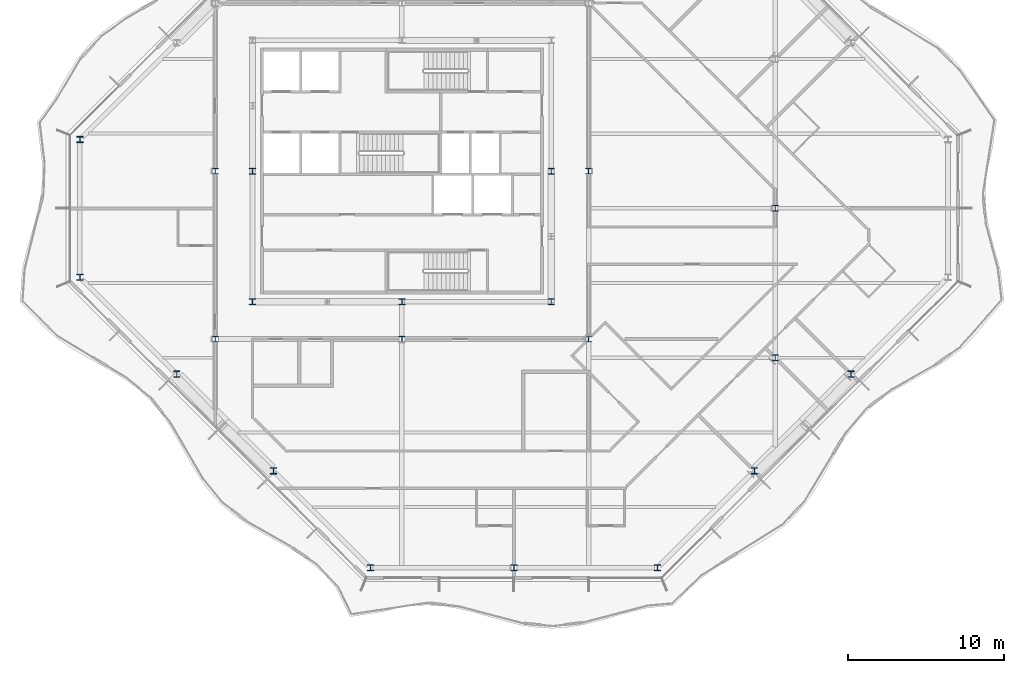
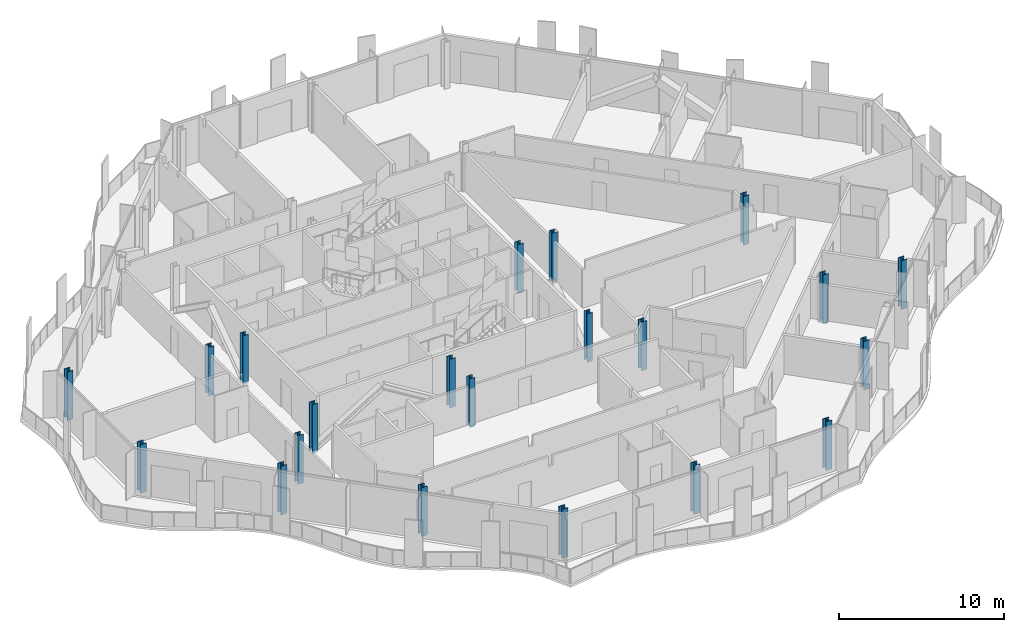
# One storey, part 1 of 17: 21 columns.
"""IFC4 building model written with IfcOpenShell, lengths in metres."""

import ifcopenshell
import ifcopenshell.guid

model = None  # the IFC model being written
_history = None  # IfcOwnerHistory: only IFC2X3 demands one
_inside = {}  # id of a spatial element -> (the spatial element, [elements in it])
_under = {}  # id of a project, library or spatial element -> (it, [spatial elements below it])
_declared = {}  # id of a project -> (the project, [libraries it declares])
_typed = {}  # id of a type object -> (the type object, [elements of that type])
_made_of = {}  # id of a material, layer set ... -> (it, [elements and type objects made of it])


def new_model(schema):
    """Start an empty IFC model of exactly this schema.

    Asked for "IFC4X3", IfcOpenShell would pick the latest addendum, in which some entities
    have other attributes; the version numbers below select the first issue.
    IFC2X3 requires an IfcOwnerHistory on every rooted entity: one is made here for all.
    """
    global model, _history
    if schema == "IFC4X3":
        model = ifcopenshell.file(schema_version=(4, 3, 0, 0))
    else:
        model = ifcopenshell.file(schema=schema)
    _inside.clear()
    _under.clear()
    _declared.clear()
    _typed.clear()
    _made_of.clear()
    _history = None
    if model.schema == "IFC2X3":
        org = make("IfcOrganization", Name="unknown")
        user = make(
            "IfcPersonAndOrganization",
            ThePerson=make("IfcPerson", FamilyName="unknown"),
            TheOrganization=org,
        )
        app = make(
            "IfcApplication",
            ApplicationDeveloper=org,
            Version="unknown",
            ApplicationFullName="unknown",
            ApplicationIdentifier="unknown",
        )
        _history = make(
            "IfcOwnerHistory",
            OwningUser=user,
            OwningApplication=app,
            ChangeAction="ADDED",
            CreationDate=0,
        )
    return model


def make(cls, **values):
    """One entity of the class cls with the attributes given. An attribute that is None is left unset."""
    return model.create_entity(
        cls, **{name: value for name, value in values.items() if value is not None}
    )


def rooted(cls, **values):
    """An entity with a GlobalId (a new one), such as an element, a storey or a relation."""
    return make(cls, GlobalId=ifcopenshell.guid.new(), OwnerHistory=_history, **values)


def si_unit(unit_type, name, prefix=None):
    """IfcSIUnit, for example si_unit("LENGTHUNIT", "METRE", prefix="MILLI")."""
    return make("IfcSIUnit", UnitType=unit_type, Prefix=prefix, Name=name)


def assignment(units):
    """IfcUnitAssignment: the units of a project."""
    return None if units is None else make("IfcUnitAssignment", Units=units)


def point(xyz):
    """IfcCartesianPoint."""
    return None if xyz is None else make("IfcCartesianPoint", Coordinates=xyz)


def direction(xyz):
    """IfcDirection."""
    return None if xyz is None else make("IfcDirection", DirectionRatios=xyz)


def frame(location, z_axis=None, x_axis=None):
    """IfcAxis2Placement3D, a coordinate frame: its origin and axes. An axis left out is left unset."""
    return make(
        "IfcAxis2Placement3D",
        Location=point(location),
        Axis=direction(z_axis),
        RefDirection=direction(x_axis),
    )


def frame_2d(location, x_axis=None):
    """IfcAxis2Placement2D, a coordinate frame in the plane: its origin and x axis."""
    return make(
        "IfcAxis2Placement2D", Location=point(location), RefDirection=direction(x_axis)
    )


def origin():
    """The frame at (0, 0, 0) with its axes left unset."""
    return frame((0.0, 0.0, 0.0))


def origin_2d():
    """The frame at (0, 0) in the plane with its x axis left unset."""
    return frame_2d((0.0, 0.0))


def place(relative_to, where):
    """IfcLocalPlacement: puts the frame where relative to a parent placement (None: the world)."""
    return make(
        "IfcLocalPlacement", PlacementRelTo=relative_to, RelativePlacement=where
    )


def context(
    kind, dimensions, precision=None, world=None, true_north=None, identifier=None
):
    """IfcGeometricRepresentationContext, for example the 3D "Model" context."""
    return make(
        "IfcGeometricRepresentationContext",
        ContextIdentifier=identifier,
        ContextType=kind,
        CoordinateSpaceDimension=dimensions,
        Precision=precision,
        WorldCoordinateSystem=world,
        TrueNorth=true_north,
    )


def subcontext(parent, identifier, kind, view, scale=None):
    """IfcGeometricRepresentationSubContext, for example "Body" below "Model"."""
    return make(
        "IfcGeometricRepresentationSubContext",
        ContextIdentifier=identifier,
        ContextType=kind,
        ParentContext=parent,
        TargetScale=scale,
        TargetView=view,
    )


def project(units=None, contexts=None):
    """IfcProject with its units and contexts."""
    return rooted(
        "IfcProject",
        Name="project",
        RepresentationContexts=contexts,
        UnitsInContext=assignment(units),
    )


def spatial(cls, under=None, at=None, **own):
    """A site, building, storey or space (cls), placed at a placement, below another one or the project."""
    s = rooted(cls, ObjectPlacement=at, **own)
    if under is not None:
        _under.setdefault(under.id(), (under, []))[1].append(s)
    return s


def profile(cls, at=None, kind="AREA", **sizes):
    """A parametric profile (cls). Its sizes go by their IFC names, for example OverallWidth=200.0."""
    return make(cls, ProfileType=kind, Position=at, **sizes)


def i_section(**sizes):
    """IfcIShapeProfileDef."""
    return profile("IfcIShapeProfileDef", **sizes)


def extrude(swept, where, along, depth):
    """IfcExtrudedAreaSolid: the profile swept, set in the frame where, extruded along a direction by depth."""
    return make(
        "IfcExtrudedAreaSolid",
        SweptArea=swept,
        Position=where,
        ExtrudedDirection=direction(along),
        Depth=depth,
    )


def shape(context_of_items, identifier, shape_type, items):
    """IfcShapeRepresentation: the items that make up one representation, for example the "Body"."""
    return make(
        "IfcShapeRepresentation",
        ContextOfItems=context_of_items,
        RepresentationIdentifier=identifier,
        RepresentationType=shape_type,
        Items=items,
    )


def material(Name=None, Category=None):
    """IfcMaterial."""
    return make("IfcMaterial", Name=Name, Category=Category)


def material_profile(
    of_material, cross_section, Name=None, Category=None, Priority=None
):
    """IfcMaterialProfile: a cross section and its material."""
    return make(
        "IfcMaterialProfile",
        Name=Name,
        Material=of_material,
        Profile=cross_section,
        Priority=Priority,
        Category=Category,
    )


def profile_set(profiles, Name=None, composite=None):
    """IfcMaterialProfileSet."""
    return make(
        "IfcMaterialProfileSet",
        Name=Name,
        MaterialProfiles=profiles,
        CompositeProfile=composite,
    )


def made_of(thing, what):
    """Note that an element or type object is made of a material, layer set ...; save() writes the relation."""
    if what is not None:
        _made_of.setdefault(what.id(), (what, []))[1].append(thing)
    return thing


def type_object(cls, material=None, **own):
    """A type object (cls), such as IfcWallType, which elements share."""
    return made_of(rooted(cls, **own), material)


def element(
    cls,
    number,
    at=None,
    inside=None,
    cuts=None,
    type_object=None,
    material=None,
    context=None,
    identifier="Body",
    shape_type=None,
    held_by="IfcProductDefinitionShape",
    body=None,
    shapes=None,
    **own,
):
    """One element of the class cls, such as IfcWall. Its Tag is "e" and its number.

    at: its placement. inside: the storey or other place that contains it. cuts: it is an
    opening in that element (IfcRelVoidsElement). A single representation is given by context,
    identifier, shape_type and body (its items); several are given by shapes. held_by: the class
    of the entity that holds the representations. save() writes the other relations.
    """
    e = rooted(cls, Tag="e%d" % number, ObjectPlacement=at, **own)
    if body is not None:
        shapes = [shape(context, identifier, shape_type, body)]
    if shapes is not None:
        e.Representation = make(held_by, Representations=shapes)
    if inside is not None:
        _inside.setdefault(inside.id(), (inside, []))[1].append(e)
    if cuts is not None:
        rooted(
            "IfcRelVoidsElement", RelatingBuildingElement=cuts, RelatedOpeningElement=e
        )
    if type_object is not None:
        _typed.setdefault(type_object.id(), (type_object, []))[1].append(e)
    return made_of(e, material)


def aggregate(whole, parts):
    """IfcRelAggregates: a whole, such as a stair, and the parts it consists of."""
    return rooted("IfcRelAggregates", RelatingObject=whole, RelatedObjects=parts)


def save(model, path):
    """Write the relations noted so far, then the file.

    IfcRelAggregates (storeys below a building ...), IfcRelContainedInSpatialStructure (elements
    in a storey), IfcRelDefinesByType, IfcRelAssociatesMaterial and IfcRelDeclares: one each for
    every whole, place, type object, material and project.
    """
    for whole, parts in _under.values():
        aggregate(whole, parts)
    for where, things in _inside.values():
        rooted(
            "IfcRelContainedInSpatialStructure",
            RelatedElements=things,
            RelatingStructure=where,
        )
    for kind, things in _typed.values():
        rooted("IfcRelDefinesByType", RelatedObjects=things, RelatingType=kind)
    for what, things in _made_of.values():
        rooted("IfcRelAssociatesMaterial", RelatedObjects=things, RelatingMaterial=what)
    for by, libraries in _declared.values():
        rooted("IfcRelDeclares", RelatingContext=by, RelatedDefinitions=libraries)
    model.write(path)


model = new_model("IFC4")

# Units and contexts
model_context = context("Model", 3, precision=1e-05, world=origin(), true_north=direction((0.0, 1.0)))
body_context = subcontext(model_context, "Body", "Model", "MODEL_VIEW")
ifc_project = project(units=[si_unit("LENGTHUNIT", "METRE"), si_unit("AREAUNIT", "SQUARE_METRE"), si_unit("VOLUMEUNIT", "CUBIC_METRE"), si_unit("PLANEANGLEUNIT", "RADIAN"), si_unit("MASSUNIT", "GRAM", prefix="KILO")], contexts=[model_context])

# Site, building, storey
site_placement = place(None, origin())
site = spatial("IfcSite", under=ifc_project, at=site_placement, CompositionType="ELEMENT")
building_placement = place(site_placement, origin())
building = spatial("IfcBuilding", under=site, at=building_placement, Name="Cairn Pilgrim Tower", CompositionType="ELEMENT")
storey_placement = place(building_placement, frame((0.0, 0.0, 235.800048828125)))
storey = spatial("IfcBuildingStorey", under=building, at=storey_placement, Name="L60", CompositionType="ELEMENT", Elevation=235.800048828125)

# Columns
ifc_material_1 = material(Name="Structural steel S355J2", Category="steel")
ifc_material_profile_1 = material_profile(ifc_material_1, i_section(OverallWidth=0.39404296875, OverallDepth=0.375, WebThickness=0.017333984375, FlangeThickness=0.027587890625, FilletRadius=0.014892578125, at=origin_2d()), Name="HD 400x216")
ifc_profile_set_1 = profile_set([ifc_material_profile_1], Name="Structural steel S355J2")
column_type_1 = type_object("IfcColumnType", Name="HD 400x216", PredefinedType="COLUMN", material=ifc_profile_set_1)
for number, where, z_axis, x_axis, name in (
    (1, (-4.800048828125, -8.39990234375, -0.150146484375), (0.0, 0.0, 1.0), (1.0, 0.0, 0.0), "IC-1"),
    (2, (7.199951171875, -8.39990234375, -0.150146484375), (0.0, 0.0, 1.0), (1.0, 0.0, 0.0), "IC-2"),
    (3, (19.199951171875, -8.39990234375, -0.150146484375), (0.0, 0.0, 1.0), (1.0, 0.0, 0.0), "IC-3"),
    (4, (-4.800048828125, 2.39990234375, -0.150146484375), (0.0, 0.0, 1.0), (1.0, 0.0, 0.0), "IC-4"),
    (5, (19.199951171875, 2.39990234375, -0.150146484375), (0.0, 0.0, 1.0), (1.0, 0.0, 0.0), "IC-5"),
):
    element("IfcColumn", number, at=place(storey_placement, frame(where, z_axis=z_axis, x_axis=x_axis)), inside=storey, type_object=column_type_1, Name=name, PredefinedType="COLUMN", context=body_context, shape_type="SweptSolid", body=[
        extrude(i_section(OverallWidth=0.39404296875, OverallDepth=0.375, WebThickness=0.017333984375, FlangeThickness=0.027587890625, FilletRadius=0.014892578125, at=origin_2d()), origin(), (0.0, 0.0, 1.0), 3.60009765625),
    ])
ifc_material_profile_2 = material_profile(ifc_material_1, i_section(OverallWidth=0.39794921875, OverallDepth=0.386962890625, WebThickness=0.02099609375, FlangeThickness=0.033203125, FilletRadius=0.014892578125, at=origin_2d()), Name="HD 400x262")
ifc_profile_set_2 = profile_set([ifc_material_profile_2], Name="Structural steel S355J2")
column_type_2 = type_object("IfcColumnType", Name="HD 400x262", PredefinedType="COLUMN", material=ifc_profile_set_2)
for number, where, z_axis, x_axis, name in (
    (6, (-2.39990234375, -6.0, -0.150146484375), (0.0, 0.0, 1.0), (1.0, 0.0, 0.0), "KC-1"),
    (7, (7.199951171875, -6.0, -0.150146484375), (0.0, 0.0, 1.0), (1.0, 0.0, 0.0), "KC-2"),
    (8, (16.800048828125, -6.0, -0.150146484375), (0.0, 0.0, 1.0), (1.0, 0.0, 0.0), "KC-3"),
    (9, (-2.39990234375, 2.39990234375, -0.150146484375), (0.0, 0.0, 1.0), (1.0, 0.0, 0.0), "KC-4"),
    (10, (16.800048828125, 2.39990234375, -0.150146484375), (0.0, 0.0, 1.0), (1.0, 0.0, 0.0), "KC-5"),
):
    element("IfcColumn", number, at=place(storey_placement, frame(where, z_axis=z_axis, x_axis=x_axis)), inside=storey, type_object=column_type_2, Name=name, PredefinedType="COLUMN", context=body_context, shape_type="SweptSolid", body=[
        extrude(i_section(OverallWidth=0.39794921875, OverallDepth=0.386962890625, WebThickness=0.02099609375, FlangeThickness=0.033203125, FilletRadius=0.014892578125, at=origin_2d()), origin(), (0.0, 0.0, 1.0), 3.60009765625),
    ])
ifc_material_profile_3 = material_profile(ifc_material_1, i_section(OverallWidth=0.39892578125, OverallDepth=0.39306640625, WebThickness=0.022705078125, FlangeThickness=0.03662109375, FilletRadius=0.014892578125, at=origin_2d()), Name="HD 400x287")
ifc_profile_set_3 = profile_set([ifc_material_profile_3], Name="Structural steel S355J2")
column_type_3 = type_object("IfcColumnType", Name="HD 400x287", PredefinedType="COLUMN", material=ifc_profile_set_3)
for number, where, z_axis, x_axis, name in (
    (11, (31.199951171875, -9.60009765625, -0.150146484375), (0.0, 0.0, 1.0), (1.0, 0.0, 0.0), "WC-WE-2"),
    (12, (31.199951171875, 0.0, -0.150146484375), (0.0, 0.0, 1.0), (1.0, 0.0, 0.0), "WC-WE+0"),
):
    element("IfcColumn", number, at=place(storey_placement, frame(where, z_axis=z_axis, x_axis=x_axis)), inside=storey, type_object=column_type_3, Name=name, PredefinedType="COLUMN", context=body_context, shape_type="SweptSolid", body=[
        extrude(i_section(OverallWidth=0.39892578125, OverallDepth=0.39306640625, WebThickness=0.022705078125, FlangeThickness=0.03662109375, FilletRadius=0.014892578125, at=origin_2d()), origin(), (0.0, 0.0, 1.0), 3.60009765625),
    ])
ifc_material_2 = material(Name="Structural steel S460M", Category="steel")
ifc_material_profile_4 = material_profile(ifc_material_2, i_section(OverallWidth=0.404052734375, OverallDepth=0.406982421875, WebThickness=0.027099609375, FlangeThickness=0.043701171875, FilletRadius=0.014892578125, at=origin_2d()), Name="HD 400x347")
ifc_profile_set_4 = profile_set([ifc_material_profile_4], Name="Structural steel S460M")
column_type_4 = type_object("IfcColumnType", Name="HD 400x347", PredefinedType="COLUMN", material=ifc_profile_set_4)
for number, where, z_axis, x_axis, name in (
    (13, (5.1728515625, -23.10009765625, -0.150146484375), (0.0, 0.0, 1.0), (1.0, 0.0, 0.0), "PC3-S1"),
    (14, (14.39990234375, -23.10009765625, -0.150146484375), (0.0, 0.0, 1.0), (1.0, 0.0, 0.0), "PC3-S2"),
    (15, (23.627197265625, -23.10009765625, -0.150146484375), (0.0, 0.0, 1.0), (1.0, 0.0, 0.0), "PC3-SE1"),
    (16, (29.8515625, -16.875732421875, -0.150146484375), (0.0, 0.0, 1.0), (1.0, 0.0, 0.0), "PC3-SE2"),
    (17, (36.07568359375, -10.651611328125, -0.150146484375), (0.0, 0.0, 1.0), (1.0, 0.0, 0.0), "PC3-SE3"),
    (18, (-13.5, 4.42724609375, -0.150146484375), (0.0, 0.0, 1.0), (1.0, 0.0, 0.0), "PC3-W1"),
    (19, (-13.5, -4.42724609375, -0.150146484375), (0.0, 0.0, 1.0), (1.0, 0.0, 0.0), "PC3-SW1"),
    (20, (-7.275634765625, -10.651611328125, -0.150146484375), (0.0, 0.0, 1.0), (1.0, 0.0, 0.0), "PC3-SW2"),
    (21, (-1.051513671875, -16.875732421875, -0.150146484375), (0.0, 0.0, 1.0), (1.0, 0.0, 0.0), "PC3-SW3"),
):
    element("IfcColumn", number, at=place(storey_placement, frame(where, z_axis=z_axis, x_axis=x_axis)), inside=storey, type_object=column_type_4, Name=name, PredefinedType="COLUMN", context=body_context, shape_type="SweptSolid", body=[
        extrude(i_section(OverallWidth=0.404052734375, OverallDepth=0.406982421875, WebThickness=0.027099609375, FlangeThickness=0.043701171875, FilletRadius=0.014892578125, at=origin_2d()), origin(), (0.0, 0.0, 1.0), 3.60009765625),
    ])

save(model, "model.ifc")
